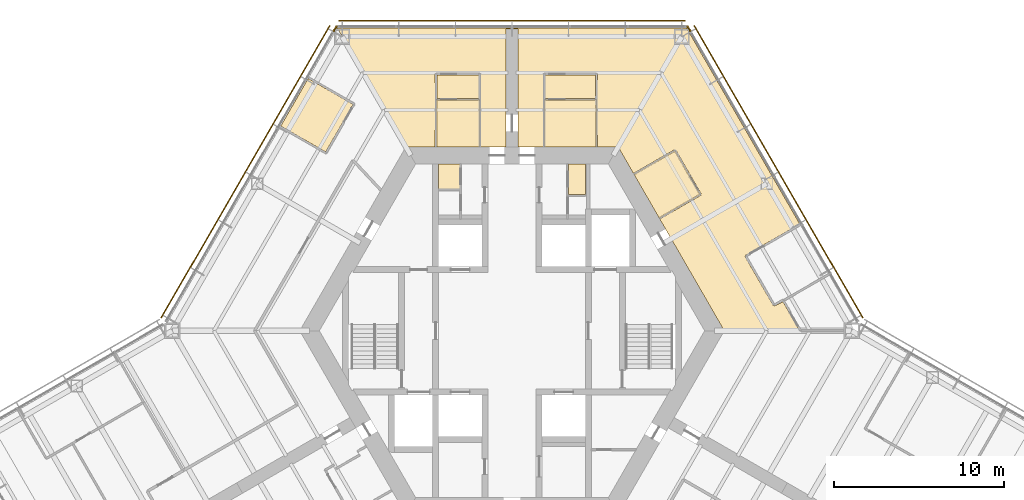
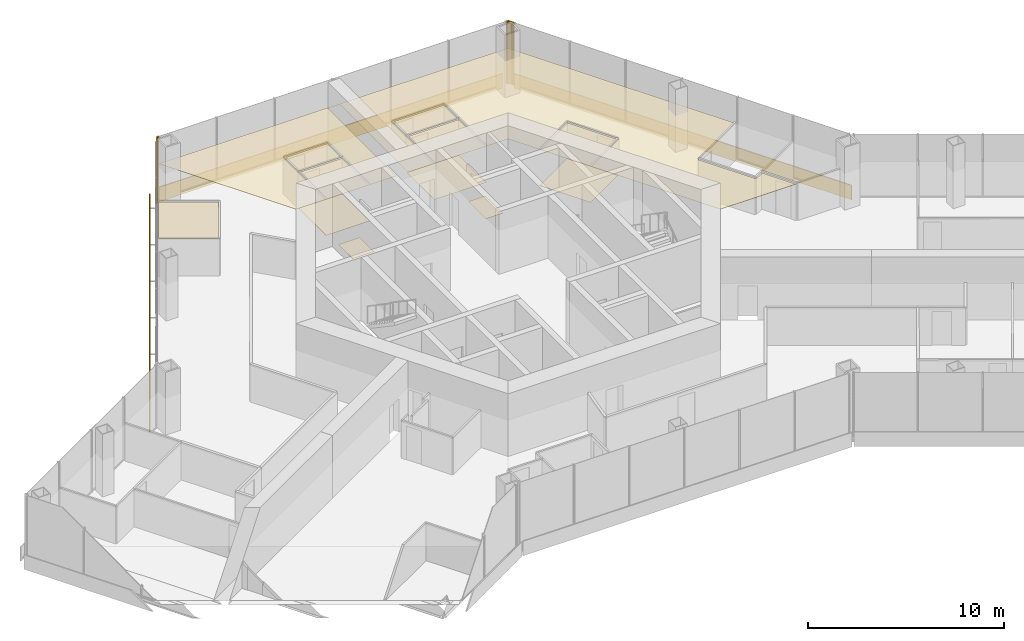
# One storey, part 18 of 18: 15 coverings, 3 shading devices.
"""IFC4 building model written with IfcOpenShell, lengths in metres."""

from ifc_helpers import new_model, si_unit, direction, frame, origin, origin_2d, place, context, subcontext, project, spatial, polyline, rectangle, outline, extrude, material, layer, layer_set, type_object, element, save


model = new_model("IFC4")

# Units and contexts
model_context = context("Model", 3, precision=1e-05, world=origin(), true_north=direction((0.0, 1.0)))
body_context = subcontext(model_context, "Body", "Model", "MODEL_VIEW")
ifc_project = project(units=[si_unit("LENGTHUNIT", "METRE"), si_unit("AREAUNIT", "SQUARE_METRE"), si_unit("VOLUMEUNIT", "CUBIC_METRE"), si_unit("PLANEANGLEUNIT", "RADIAN"), si_unit("MASSUNIT", "GRAM", prefix="KILO")], contexts=[model_context])

# Site, building, storey
site_placement = place(None, origin())
site = spatial("IfcSite", under=ifc_project, at=site_placement, CompositionType="ELEMENT")
building_placement = place(site_placement, origin())
building = spatial("IfcBuilding", under=site, at=building_placement, Name="Kasaneha Research Tower", CompositionType="ELEMENT")
storey_placement = place(building_placement, frame((0.0, 0.0, 199.39990234375)))
storey = spatial("IfcBuildingStorey", under=building, at=storey_placement, Name="L50", CompositionType="ELEMENT", Elevation=199.39990234375)

# Coverings
ifc_material_1 = material(Name="Terracotta", Category="masonry")
covering_type_1 = type_object("IfcCoveringType", Name="Corner pier cladding", PredefinedType="CLADDING", material=ifc_material_1)
covering_1_placement = place(storey_placement, origin())
element("IfcCovering", 1, at=covering_1_placement, inside=storey, type_object=covering_type_1, Name="Corner pier cladding L50 V1", PredefinedType="CLADDING", context=body_context, shape_type="SweptSolid", body=[
    extrude(outline(polyline([(10.481201171875, 17.587158203125), (10.449951171875, 17.64111328125), (10.449951171875, 17.7705078125), (10.375244140625, 17.7705078125), (10.317626953125, 17.87060546875), (10.247314453125, 17.87060546875), (10.247314453125, 17.96044921875), (10.369384765625, 17.96044921875), (10.55908203125, 17.632080078125), (10.481201171875, 17.587158203125)])), origin(), (0.0, 0.0, 1.0), 3.900146484375),
])
covering_2_placement = place(storey_placement, origin())
element("IfcCovering", 2, at=covering_2_placement, inside=storey, type_object=covering_type_1, Name="Corner pier cladding L50 V2", PredefinedType="CLADDING", context=body_context, shape_type="SweptSolid", body=[
    extrude(outline(polyline([(-10.247314453125, 17.87060546875), (-10.317626953125, 17.87060546875), (-10.375244140625, 17.7705078125), (-10.449951171875, 17.7705078125), (-10.449951171875, 17.64111328125), (-10.481201171875, 17.587158203125), (-10.55908203125, 17.632080078125), (-10.369384765625, 17.96044921875), (-10.247314453125, 17.96044921875), (-10.247314453125, 17.87060546875)])), origin(), (0.0, 0.0, 1.0), 3.900146484375),
])
ifc_material_2 = material(Name="Gypsum ceiling board", Category="gypsum")
ifc_layer_1 = layer(ifc_material_2, 0.02001953125)
ifc_layer_set_1 = layer_set([ifc_layer_1], Name="Suspended ceiling 20")
covering_type_2 = type_object("IfcCoveringType", Name="Suspended ceiling 20", PredefinedType="CEILING", material=ifc_layer_set_1)
covering_3_placement = place(storey_placement, frame((0.0, 0.0, 2.25)))
element("IfcCovering", 3, at=covering_3_placement, inside=storey, type_object=covering_type_2, Name="Ceiling L50-27", PredefinedType="CEILING", context=body_context, shape_type="SweptSolid", body=[
    extrude(outline(polyline([(1.89990234375, 10.824951171875), (1.89990234375, 10.844970703125), (1.949951171875, 10.844970703125), (1.95458984375, 13.570068359375), (4.91650390625, 13.570068359375), (4.9208984375, 10.844970703125), (4.970947265625, 10.844970703125), (4.970947265625, 10.824951171875), (1.89990234375, 10.824951171875)])), origin(), (0.0, 0.0, 1.0), 0.02001953125),
])
covering_4_placement = place(storey_placement, frame((0.0, 0.0, 2.25)))
element("IfcCovering", 4, at=covering_4_placement, inside=storey, type_object=covering_type_2, Name="Ceiling L50-28", PredefinedType="CEILING", context=body_context, shape_type="SweptSolid", body=[
    extrude(outline(polyline([(4.91650390625, 13.669921875), (1.954345703125, 13.669921875), (1.9501953125, 15.074951171875), (4.9208984375, 15.074951171875), (4.91650390625, 13.669921875)])), origin(), (0.0, 0.0, 1.0), 0.02001953125),
])
covering_5_placement = place(storey_placement, frame((0.0, 0.0, 2.25)))
element("IfcCovering", 5, at=covering_5_placement, inside=storey, type_object=covering_type_2, Name="Ceiling L50-29", PredefinedType="CEILING", context=body_context, shape_type="SweptSolid", body=[
    extrude(outline(polyline([(7.1748046875, 9.222900390625), (7.19189453125, 9.23291015625), (7.217041015625, 9.189697265625), (9.581298828125, 10.5546875), (11.03125, 8.043212890625), (8.6669921875, 6.67822265625), (8.69189453125, 6.635009765625), (8.6748046875, 6.625), (7.1748046875, 9.222900390625)])), origin(), (0.0, 0.0, 1.0), 0.02001953125),
])
covering_6_placement = place(storey_placement, frame((0.0, 0.0, 2.25)))
element("IfcCovering", 6, at=covering_6_placement, inside=storey, type_object=covering_type_2, Name="Ceiling L50-32", PredefinedType="CEILING", context=body_context, shape_type="SweptSolid", body=[
    extrude(outline(polyline([(8.692138671875, 6.634521484375), (8.717041015625, 6.591552734375), (11.12451171875, 7.981689453125), (11.099609375, 8.02490234375), (11.10009765625, 8.025146484375), (11.10009765625, 8.025146484375), (11.142822265625, 8.0498046875), (9.642822265625, 10.64794921875), (9.599853515625, 10.623291015625), (9.599853515625, 10.62353515625), (9.599365234375, 10.623291015625), (9.57470703125, 10.666259765625), (7.1669921875, 9.2763671875), (7.191650390625, 9.2333984375), (7.174560546875, 9.223388671875), (6.249755859375, 10.824951171875), (4.971435546875, 10.824951171875), (4.971435546875, 10.844970703125), (5.02099609375, 10.844970703125), (5.016357421875, 13.625), (5.02099609375, 15.124755859375), (4.971435546875, 15.125), (4.971435546875, 15.12548828125), (4.970947265625, 15.12548828125), (4.970947265625, 15.175048828125), (1.89990234375, 15.175048828125), (1.89990234375, 15.125244140625), (1.899658203125, 15.125244140625), (1.899658203125, 15.125), (1.85009765625, 15.124755859375), (1.8544921875, 13.625), (1.85009765625, 10.844970703125), (1.8994140625, 10.844970703125), (1.8994140625, 10.824951171875), (0.35009765625, 10.824951171875), (0.35009765625, 11.72509765625), (0.35009765625, 12.72509765625), (0.35009765625, 17.7705078125), (0.35009765625, 17.7705078125), (0.0, 17.7705078125), (0.0, 17.820556640625), (10.28857421875, 17.820556640625), (16.94677734375, 6.28857421875), (13.742431640625, 4.4384765625), (13.767333984375, 4.3955078125), (13.766845703125, 4.395263671875), (13.76708984375, 4.39501953125), (13.72412109375, 4.3701171875), (15.3896484375, 1.485595703125), (15.432373046875, 1.51025390625), (15.432373046875, 1.51025390625), (15.432861328125, 1.510498046875), (15.4580078125, 1.46728515625), (15.95947265625, 1.707275390625), (16.93994140625, 0.0), (12.49951171875, 0.0), (8.675048828125, 6.62451171875), (8.692138671875, 6.634521484375)])), origin(), (0.0, 0.0, 1.0), 0.02001953125),
])
covering_7_placement = place(storey_placement, frame((0.0, 0.0, 2.25)))
element("IfcCovering", 7, at=covering_7_placement, inside=storey, type_object=covering_type_2, Name="Ceiling L50-33", PredefinedType="CEILING", context=body_context, shape_type="SweptSolid", body=[
    extrude(outline(polyline([(-4.470947265625, 10.824951171875), (-4.470947265625, 10.844970703125), (-4.4208984375, 10.844970703125), (-4.41650390625, 13.570068359375), (-1.95458984375, 13.570068359375), (-1.949951171875, 10.844970703125), (-1.89990234375, 10.844970703125), (-1.89990234375, 10.824951171875), (-4.470947265625, 10.824951171875)])), origin(), (0.0, 0.0, 1.0), 0.02001953125),
])
covering_8_placement = place(storey_placement, frame((0.0, 0.0, 2.25)))
element("IfcCovering", 8, at=covering_8_placement, inside=storey, type_object=covering_type_2, Name="Ceiling L50-34", PredefinedType="CEILING", context=body_context, shape_type="SweptSolid", body=[
    extrude(outline(polyline([(-1.95458984375, 13.669921875), (-4.41650390625, 13.669921875), (-4.4208984375, 15.074951171875), (-1.9501953125, 15.074951171875), (-1.95458984375, 13.669921875)])), origin(), (0.0, 0.0, 1.0), 0.02001953125),
])
covering_9_placement = place(storey_placement, frame((0.0, 0.0, 2.25)))
element("IfcCovering", 9, at=covering_9_placement, inside=storey, type_object=covering_type_2, Name="Ceiling L50-35", PredefinedType="CEILING", context=body_context, shape_type="SweptSolid", body=[
    extrude(outline(polyline([(-0.35009765625, 11.72509765625), (-0.35009765625, 10.824951171875), (-1.8994140625, 10.824951171875), (-1.8994140625, 10.844970703125), (-1.85009765625, 10.844970703125), (-1.854736328125, 13.625), (-1.85009765625, 15.124755859375), (-1.89990234375, 15.125), (-1.89990234375, 15.12548828125), (-1.89990234375, 15.175048828125), (-4.470947265625, 15.175048828125), (-4.470947265625, 15.125244140625), (-4.471435546875, 15.125244140625), (-4.471435546875, 15.125), (-4.52099609375, 15.124755859375), (-4.516357421875, 13.625), (-4.52099609375, 10.844970703125), (-4.471435546875, 10.844970703125), (-4.471435546875, 10.824951171875), (-6.249755859375, 10.824951171875), (-10.28857421875, 17.820556640625), (0.0, 17.820556640625), (0.0, 17.7705078125), (-0.35009765625, 17.7705078125), (-0.35009765625, 17.7705078125), (-0.35009765625, 12.72509765625), (-0.35009765625, 11.72509765625)])), origin(), (0.0, 0.0, 1.0), 0.02001953125),
])
covering_10_placement = place(storey_placement, frame((0.0, 0.0, 2.25)))
element("IfcCovering", 10, at=covering_10_placement, inside=storey, type_object=covering_type_2, Name="Ceiling L50-39", PredefinedType="CEILING", context=body_context, shape_type="SweptSolid", body=[
    extrude(outline(polyline([(-12.000244140625, 14.85595703125), (-9.35888671875, 13.330810546875), (-10.974365234375, 10.53271484375), (-13.598388671875, 12.0478515625), (-13.623291015625, 12.004638671875), (-13.640869140625, 12.0146484375), (-12.000244140625, 14.85595703125)])), origin(), (0.0, 0.0, 1.0), 0.02001953125),
])

# Shading devices
ifc_material_3 = material(Name="Terracotta", Category="masonry")
ifc_layer_2 = layer(ifc_material_3, 0.06005859375)
ifc_layer_set_2 = layer_set([ifc_layer_2], Name="Terracotta baguette screen")
shading_device_type = type_object("IfcShadingDeviceType", Name="Terracotta baguette screen", PredefinedType="USERDEFINED", material=ifc_layer_set_2)
shading_device_1_placement = place(storey_placement, frame((15.696044921875, 9.35498046875, -0.449951171875), z_axis=(0.0, 0.0, 1.0), x_axis=(-0.499999979232, 0.866025415775, 0.0)))
element("IfcShadingDevice", 11, at=shading_device_1_placement, inside=storey, type_object=shading_device_type, Name="Baguette screen L50 06", ObjectType="TERRACOTTA BAGUETTE SCREEN", PredefinedType="USERDEFINED", context=body_context, shape_type="SweptSolid", body=[
    extrude(rectangle(XDim=19.8857421875, YDim=0.06005859375, at=origin_2d()), origin(), (0.0, 0.0, 1.0), 0.89990234375),
])
shading_device_2_placement = place(storey_placement, frame((0.0, 18.2705078125, -0.449951171875), z_axis=(0.0, 0.0, 1.0), x_axis=(-1.0, 0.0, 0.0)))
element("IfcShadingDevice", 12, at=shading_device_2_placement, inside=storey, type_object=shading_device_type, Name="Baguette screen L50 07", ObjectType="TERRACOTTA BAGUETTE SCREEN", PredefinedType="USERDEFINED", context=body_context, shape_type="SweptSolid", body=[
    extrude(rectangle(XDim=20.392822265625, YDim=0.06005859375, at=origin_2d()), origin(), (0.0, 0.0, 1.0), 0.89990234375),
])
shading_device_3_placement = place(storey_placement, frame((-15.696044921875, 9.35498046875, -0.449951171875), z_axis=(0.0, 0.0, 1.0), x_axis=(-0.499999979232, -0.866025415775, 0.0)))
element("IfcShadingDevice", 13, at=shading_device_3_placement, inside=storey, type_object=shading_device_type, Name="Baguette screen L50 08", ObjectType="TERRACOTTA BAGUETTE SCREEN", PredefinedType="USERDEFINED", context=body_context, shape_type="SweptSolid", body=[
    extrude(rectangle(XDim=19.8857421875, YDim=0.06005859375, at=origin_2d()), origin(), (0.0, 0.0, 1.0), 0.89990234375),
])

# Coverings
ifc_material_4 = material(Name="Vinyl sheet flooring", Category="plastic")
ifc_layer_3 = layer(ifc_material_4, 0.0048828125)
ifc_layer_set_3 = layer_set([ifc_layer_3], Name="Wet room sheet flooring 5")
covering_type_3 = type_object("IfcCoveringType", Name="Wet room sheet flooring 5", PredefinedType="FLOORING", material=ifc_layer_set_3)
covering_11_placement = place(storey_placement, origin())
element("IfcCovering", 14, at=covering_11_placement, inside=storey, type_object=covering_type_3, Name="Floor finish L50-07", PredefinedType="FLOORING", context=body_context, shape_type="SweptSolid", body=[
    extrude(outline(polyline([(-4.324951171875, 8.35498046875), (-4.324951171875, 9.824951171875), (-3.074951171875, 9.824951171875), (-3.074951171875, 8.35498046875), (-4.324951171875, 8.35498046875)])), origin(), (0.0, 0.0, 1.0), 0.005126953125),
])
covering_12_placement = place(storey_placement, origin())
element("IfcCovering", 15, at=covering_12_placement, inside=storey, type_object=covering_type_3, Name="Floor finish L50-10", PredefinedType="FLOORING", context=body_context, shape_type="SweptSolid", body=[
    extrude(outline(polyline([(4.324951171875, 8.02490234375), (3.324951171875, 8.02490234375), (3.324951171875, 9.824951171875), (4.324951171875, 9.824951171875), (4.324951171875, 8.02490234375)])), origin(), (0.0, 0.0, 1.0), 0.005126953125),
])
covering_13_placement = place(storey_placement, origin())
element("IfcCovering", 16, at=covering_13_placement, inside=storey, type_object=covering_type_3, Name="Floor finish L50-27", PredefinedType="FLOORING", context=body_context, shape_type="SweptSolid", body=[
    extrude(outline(polyline([(4.970947265625, 13.625), (4.970947265625, 10.824951171875), (1.89990234375, 10.824951171875), (1.89990234375, 13.625), (4.970947265625, 13.625)])), origin(), (0.0, 0.0, 1.0), 0.005126953125),
])
covering_14_placement = place(storey_placement, origin())
element("IfcCovering", 17, at=covering_14_placement, inside=storey, type_object=covering_type_3, Name="Floor finish L50-29", PredefinedType="FLOORING", context=body_context, shape_type="SweptSolid", body=[
    extrude(outline(polyline([(11.099609375, 8.02490234375), (8.6748046875, 6.625), (7.1748046875, 9.222900390625), (9.599609375, 10.623046875), (11.099609375, 8.02490234375)])), origin(), (0.0, 0.0, 1.0), 0.005126953125),
])
covering_15_placement = place(storey_placement, origin())
element("IfcCovering", 18, at=covering_15_placement, inside=storey, type_object=covering_type_3, Name="Floor finish L50-33", PredefinedType="FLOORING", context=body_context, shape_type="SweptSolid", body=[
    extrude(outline(polyline([(-1.89990234375, 13.625), (-1.89990234375, 10.824951171875), (-4.470947265625, 10.824951171875), (-4.470947265625, 13.625), (-1.89990234375, 13.625)])), origin(), (0.0, 0.0, 1.0), 0.005126953125),
])

save(model, "model.ifc")
